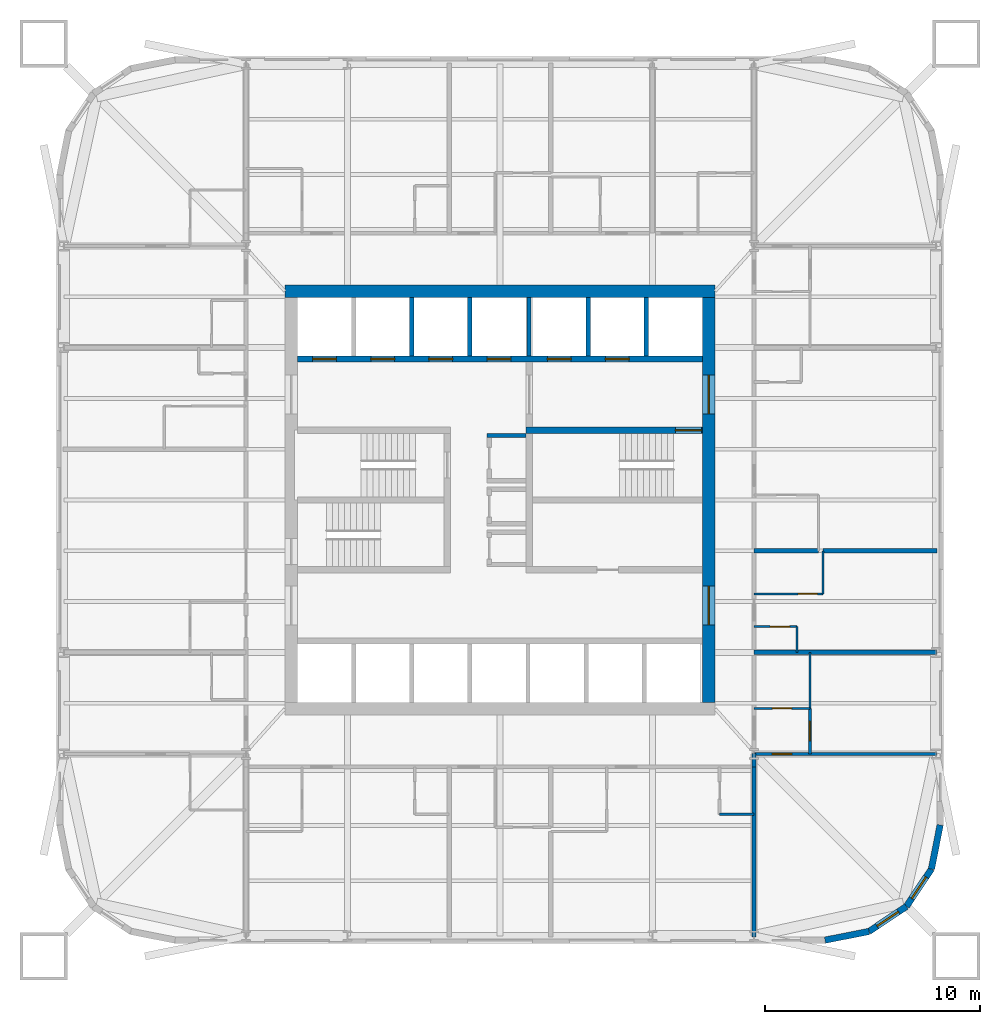
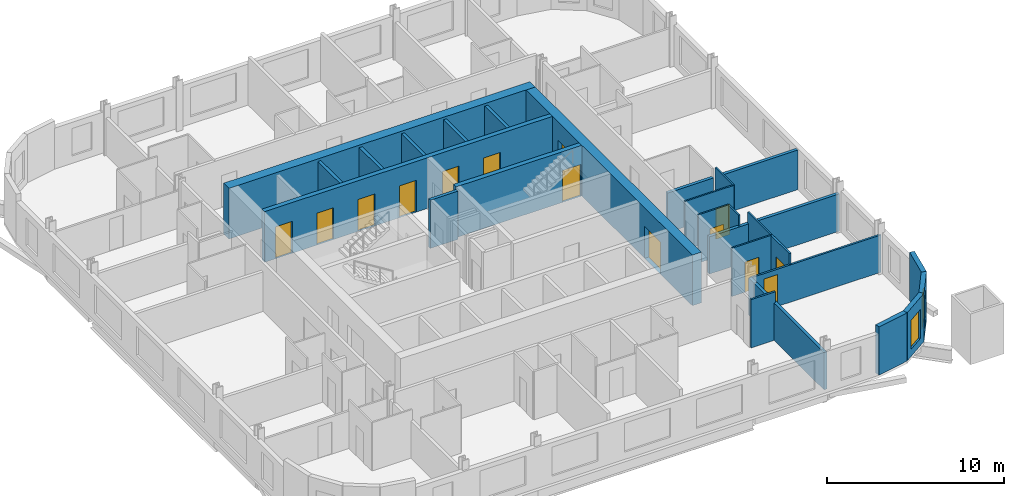
# One storey, part 5 of 9: 28 walls, 14 doors, 2 windows, 16 openings.
"""IFC4 building model written with IfcOpenShell, lengths in metres."""

from ifc_helpers import new_model, si_unit, direction, frame, frame_2d, origin, place, context, subcontext, project, spatial, rectangle, extrude, material, layer, layer_set, type_object, element, fill, save


model = new_model("IFC4")

# Units and contexts
model_context = context("Model", 3, precision=1e-05, world=origin(), true_north=direction((0.0, 1.0)))
body_context = subcontext(model_context, "Body", "Model", "MODEL_VIEW")
ifc_project = project(units=[si_unit("LENGTHUNIT", "METRE"), si_unit("AREAUNIT", "SQUARE_METRE"), si_unit("VOLUMEUNIT", "CUBIC_METRE"), si_unit("PLANEANGLEUNIT", "RADIAN"), si_unit("MASSUNIT", "GRAM", prefix="KILO")], contexts=[model_context])

# Site, building, storey
site_placement = place(None, origin())
site = spatial("IfcSite", under=ifc_project, at=site_placement, CompositionType="ELEMENT")
building_placement = place(site_placement, origin())
building = spatial("IfcBuilding", under=site, at=building_placement, Name="Turquesa Mirador Hotel Tower", CompositionType="ELEMENT")
storey_placement = place(building_placement, frame((0.0, 0.0, 100.39990234375)))
storey = spatial("IfcBuildingStorey", under=building, at=storey_placement, Name="L26", CompositionType="ELEMENT", Elevation=100.39990234375)

# Wall, opening, door
ifc_material_1 = material(Name="Gypsum board on steel studs", Category="steel")
ifc_layer_1 = layer(ifc_material_1, 0.10009765625)
ifc_layer_set_1 = layer_set([ifc_layer_1], Name="BATHROOM WALL 100")
wall_type_1 = type_object("IfcWallType", Name="BATHROOM WALL 100", PredefinedType="PARTITIONING", material=ifc_layer_set_1)
wall_1_placement = place(storey_placement, frame((66.800048828125, 40.639892578125, 0.0), z_axis=(0.0, 0.0, 1.0), x_axis=(1.0, 0.0, 0.0)))
wall_1 = element("IfcWall", 1, at=wall_1_placement, inside=storey, type_object=wall_type_1, Name="Partition L26 013", PredefinedType="PARTITIONING", context=body_context, shape_type="SweptSolid", body=[
    extrude(rectangle(XDim=3.199951171875, YDim=0.10009765625, at=frame_2d((1.60009765625, 0.0))), origin(), (0.0, 0.0, 1.0), 3.330078125),
])
opening_1_placement = place(wall_1_placement, frame((2.050048828125, 0.0, 0.0)))
opening_1 = element("IfcOpeningElement", 2, at=opening_1_placement, cuts=wall_1, Name="Opening D02", PredefinedType="OPENING", context=body_context, shape_type="SweptSolid", body=[
    extrude(rectangle(XDim=0.89990234375, YDim=2.10009765625, at=frame_2d((0.449951171875, 1.050048828125))), frame((0.0, 0.06005859375, 0.0), z_axis=(0.0, -1.0, 0.0), x_axis=(1.0, 0.0, 0.0)), (0.0, 0.0, 1.0), 0.1201171875),
])
ifc_material_2 = material(Name="Timber veneered door", Category="wood")
door_type_1 = type_object("IfcDoorType", Name="DOOR 900X2100 EN-SUITE", OperationType="SINGLE_SWING_RIGHT", PredefinedType="DOOR", material=ifc_material_2)
door_1_placement = place(opening_1_placement, origin())
door_1 = element("IfcDoor", 3, at=door_1_placement, inside=storey, type_object=door_type_1, Name="Door 2608B", OperationType="SINGLE_SWING_RIGHT", OverallHeight=2.10009765625, OverallWidth=0.89990234375, PredefinedType="DOOR", context=body_context, shape_type="SweptSolid", body=[
    extrude(rectangle(XDim=0.89990234375, YDim=2.10009765625, at=frame_2d((0.449951171875, 1.050048828125))), frame((0.0, 0.02490234375, 0.0), z_axis=(0.0, -1.0, 0.0), x_axis=(1.0, 0.0, 0.0)), (0.0, 0.0, 1.0), 0.050048828125),
])
fill(opening_1, door_1)

wall_2_placement = place(storey_placement, frame((66.800048828125, 39.1201171875, 0.0), z_axis=(0.0, 0.0, 1.0), x_axis=(1.0, 0.0, 0.0)))
wall_2 = element("IfcWall", 4, at=wall_2_placement, inside=storey, type_object=wall_type_1, Name="Partition L26 015", PredefinedType="PARTITIONING", context=body_context, shape_type="SweptSolid", body=[
    extrude(rectangle(XDim=2.0, YDim=0.10009765625, at=frame_2d((1.0, 0.0))), origin(), (0.0, 0.0, 1.0), 3.330078125),
])
opening_2_placement = place(wall_2_placement, frame((0.75, 0.0, 0.0)))
opening_2 = element("IfcOpeningElement", 5, at=opening_2_placement, cuts=wall_2, Name="Opening D06", PredefinedType="OPENING", context=body_context, shape_type="SweptSolid", body=[
    extrude(rectangle(XDim=0.89990234375, YDim=2.10009765625, at=frame_2d((0.449951171875, 1.050048828125))), frame((0.0, 0.06005859375, 0.0), z_axis=(0.0, -1.0, 0.0), x_axis=(1.0, 0.0, 0.0)), (0.0, 0.0, 1.0), 0.1201171875),
])
ifc_material_3 = material(Name="Laminate door", Category="wood")
door_type_2 = type_object("IfcDoorType", Name="DOOR 900X2100 WC", OperationType="SINGLE_SWING_LEFT", PredefinedType="DOOR", material=ifc_material_3)
door_2_placement = place(opening_2_placement, origin())
door_2 = element("IfcDoor", 6, at=door_2_placement, inside=storey, type_object=door_type_2, Name="Door 2608W", OperationType="SINGLE_SWING_LEFT", OverallHeight=2.10009765625, OverallWidth=0.89990234375, PredefinedType="DOOR", context=body_context, shape_type="SweptSolid", body=[
    extrude(rectangle(XDim=0.89990234375, YDim=2.10009765625, at=frame_2d((0.449951171875, 1.050048828125))), frame((0.0, 0.02490234375, 0.0), z_axis=(0.0, -1.0, 0.0), x_axis=(1.0, 0.0, 0.0)), (0.0, 0.0, 1.0), 0.050048828125),
])
fill(opening_2, door_2)

wall_3_placement = place(storey_placement, frame((66.800048828125, 35.320068359375, 0.0), z_axis=(0.0, 0.0, 1.0), x_axis=(1.0, 0.0, 0.0)))
wall_3 = element("IfcWall", 7, at=wall_3_placement, inside=storey, type_object=wall_type_1, Name="Partition L26 019", PredefinedType="PARTITIONING", context=body_context, shape_type="SweptSolid", body=[
    extrude(rectangle(XDim=2.599853515625, YDim=0.10009765625, at=frame_2d((1.2998046875, 0.0))), origin(), (0.0, 0.0, 1.0), 3.330078125),
])
opening_3_placement = place(wall_3_placement, frame((0.85009765625, 0.0, 0.0)))
opening_3 = element("IfcOpeningElement", 8, at=opening_3_placement, cuts=wall_3, Name="Opening D02", PredefinedType="OPENING", context=body_context, shape_type="SweptSolid", body=[
    extrude(rectangle(XDim=0.89990234375, YDim=2.10009765625, at=frame_2d((0.449951171875, 1.050048828125))), frame((0.0, 0.06005859375, 0.0), z_axis=(0.0, -1.0, 0.0), x_axis=(1.0, 0.0, 0.0)), (0.0, 0.0, 1.0), 0.1201171875),
])
door_3_placement = place(opening_3_placement, origin())
door_3 = element("IfcDoor", 9, at=door_3_placement, inside=storey, type_object=door_type_1, Name="Door 2614B", OperationType="SINGLE_SWING_RIGHT", OverallHeight=2.10009765625, OverallWidth=0.89990234375, PredefinedType="DOOR", context=body_context, shape_type="SweptSolid", body=[
    extrude(rectangle(XDim=0.89990234375, YDim=2.10009765625, at=frame_2d((0.449951171875, 1.050048828125))), frame((0.0, 0.02490234375, 0.0), z_axis=(0.0, -1.0, 0.0), x_axis=(1.0, 0.0, 0.0)), (0.0, 0.0, 1.0), 0.050048828125),
])
fill(opening_3, door_3)

# Walls
wall_4_placement = place(storey_placement, frame((68.800048828125, 37.919921875, 0.0), z_axis=(0.0, 0.0, 1.0), x_axis=(0.0, 1.0, 0.0)))
element("IfcWall", 10, at=wall_4_placement, inside=storey, type_object=wall_type_1, Name="Partition L26 061", PredefinedType="PARTITIONING", context=body_context, shape_type="SweptSolid", body=[
    extrude(rectangle(XDim=1.2001953125, YDim=0.10009765625, at=frame_2d((0.60009765625, 0.0))), origin(), (0.0, 0.0, 1.0), 3.330078125),
])
wall_5_placement = place(storey_placement, frame((69.39990234375, 35.320068359375, 0.0), z_axis=(0.0, 0.0, 1.0), x_axis=(0.0, 1.0, 0.0)))
element("IfcWall", 11, at=wall_5_placement, inside=storey, type_object=wall_type_1, Name="Partition L26 063", PredefinedType="PARTITIONING", context=body_context, shape_type="SweptSolid", body=[
    extrude(rectangle(XDim=2.599853515625, YDim=0.10009765625, at=frame_2d((1.2998046875, 0.0))), origin(), (0.0, 0.0, 1.0), 3.330078125),
])
wall_6_placement = place(storey_placement, frame((70.0, 40.639892578125, 0.0), z_axis=(0.0, 0.0, 1.0), x_axis=(0.0, 1.0, 0.0)))
element("IfcWall", 12, at=wall_6_placement, inside=storey, type_object=wall_type_1, Name="Partition L26 068", PredefinedType="PARTITIONING", context=body_context, shape_type="SweptSolid", body=[
    extrude(rectangle(XDim=2.0, YDim=0.10009765625, at=frame_2d((1.0, 0.0))), origin(), (0.0, 0.0, 1.0), 3.330078125),
])

# Wall, openings, doors
ifc_material_4 = material(Name="Concrete C50/60", Category="concrete")
ifc_layer_2 = layer(ifc_material_4, 0.300048828125)
ifc_layer_set_2 = layer_set([ifc_layer_2], Name="CORE INNER WALL 300")
wall_type_2 = type_object("IfcWallType", Name="CORE INNER WALL 300", PredefinedType="SHEAR", material=ifc_layer_set_2)
wall_7_placement = place(storey_placement, frame((45.60009765625, 51.550048828125, 0.0), z_axis=(0.0, 0.0, 1.0), x_axis=(1.0, 0.0, 0.0)))
wall_7 = element("IfcWall", 13, at=wall_7_placement, inside=storey, type_object=wall_type_2, Name="Core wall NL", PredefinedType="SHEAR", context=body_context, shape_type="SweptSolid", body=[
    extrude(rectangle(XDim=18.7998046875, YDim=0.300048828125, at=frame_2d((9.39990234375, 0.0))), origin(), (0.0, 0.0, 1.0), 3.5),
])
opening_4_placement = place(wall_7_placement, frame((0.699951171875, 0.0, 0.0)))
opening_4 = element("IfcOpeningElement", 14, at=opening_4_placement, cuts=wall_7, Name="Opening LD", PredefinedType="OPENING", context=body_context, shape_type="SweptSolid", body=[
    extrude(rectangle(XDim=1.10009765625, YDim=2.199951171875, at=frame_2d((0.550048828125, 1.10009765625))), frame((0.0, 0.159912109375, 0.0), z_axis=(0.0, -1.0, 0.0), x_axis=(1.0, 0.0, 0.0)), (0.0, 0.0, 1.0), 0.320068359375),
])
opening_5_placement = place(wall_7_placement, frame((3.39990234375, 0.0, 0.0)))
opening_5 = element("IfcOpeningElement", 15, at=opening_5_placement, cuts=wall_7, Name="Opening LD", PredefinedType="OPENING", context=body_context, shape_type="SweptSolid", body=[
    extrude(rectangle(XDim=1.10009765625, YDim=2.199951171875, at=frame_2d((0.550048828125, 1.10009765625))), frame((0.0, 0.159912109375, 0.0), z_axis=(0.0, -1.0, 0.0), x_axis=(1.0, 0.0, 0.0)), (0.0, 0.0, 1.0), 0.320068359375),
])
opening_6_placement = place(wall_7_placement, frame((6.10009765625, 0.0, 0.0)))
opening_6 = element("IfcOpeningElement", 16, at=opening_6_placement, cuts=wall_7, Name="Opening LD", PredefinedType="OPENING", context=body_context, shape_type="SweptSolid", body=[
    extrude(rectangle(XDim=1.10009765625, YDim=2.199951171875, at=frame_2d((0.550048828125, 1.10009765625))), frame((0.0, 0.159912109375, 0.0), z_axis=(0.0, -1.0, 0.0), x_axis=(1.0, 0.0, 0.0)), (0.0, 0.0, 1.0), 0.320068359375),
])
opening_7_placement = place(wall_7_placement, frame((8.800048828125, 0.0, 0.0)))
opening_7 = element("IfcOpeningElement", 17, at=opening_7_placement, cuts=wall_7, Name="Opening LD", PredefinedType="OPENING", context=body_context, shape_type="SweptSolid", body=[
    extrude(rectangle(XDim=1.10009765625, YDim=2.199951171875, at=frame_2d((0.550048828125, 1.10009765625))), frame((0.0, 0.159912109375, 0.0), z_axis=(0.0, -1.0, 0.0), x_axis=(1.0, 0.0, 0.0)), (0.0, 0.0, 1.0), 0.320068359375),
])
opening_8_placement = place(wall_7_placement, frame((11.60009765625, 0.0, 0.0)))
opening_8 = element("IfcOpeningElement", 18, at=opening_8_placement, cuts=wall_7, Name="Opening LD", PredefinedType="OPENING", context=body_context, shape_type="SweptSolid", body=[
    extrude(rectangle(XDim=1.10009765625, YDim=2.199951171875, at=frame_2d((0.550048828125, 1.10009765625))), frame((0.0, 0.159912109375, 0.0), z_axis=(0.0, -1.0, 0.0), x_axis=(1.0, 0.0, 0.0)), (0.0, 0.0, 1.0), 0.320068359375),
])
opening_9_placement = place(wall_7_placement, frame((14.300048828125, 0.0, 0.0)))
opening_9 = element("IfcOpeningElement", 19, at=opening_9_placement, cuts=wall_7, Name="Opening LD", PredefinedType="OPENING", context=body_context, shape_type="SweptSolid", body=[
    extrude(rectangle(XDim=1.10009765625, YDim=2.199951171875, at=frame_2d((0.550048828125, 1.10009765625))), frame((0.0, 0.159912109375, 0.0), z_axis=(0.0, -1.0, 0.0), x_axis=(1.0, 0.0, 0.0)), (0.0, 0.0, 1.0), 0.320068359375),
])
ifc_material_5 = material(Name="Stainless steel lift landing door", Category="steel")
door_type_3 = type_object("IfcDoorType", Name="LIFT LANDING DOOR 1100X2200", OperationType="SLIDING_TO_LEFT", PredefinedType="DOOR", material=ifc_material_5)
door_4_placement = place(opening_4_placement, origin())
door_4 = element("IfcDoor", 20, at=door_4_placement, inside=storey, type_object=door_type_3, Name="Lift A1 landing door", OperationType="SLIDING_TO_LEFT", OverallHeight=2.199951171875, OverallWidth=1.10009765625, PredefinedType="DOOR", context=body_context, shape_type="SweptSolid", body=[
    extrude(rectangle(XDim=1.10009765625, YDim=2.199951171875, at=frame_2d((0.550048828125, 1.10009765625))), frame((0.0, 0.02490234375, 0.0), z_axis=(0.0, -1.0, 0.0), x_axis=(1.0, 0.0, 0.0)), (0.0, 0.0, 1.0), 0.050048828125),
])
fill(opening_4, door_4)
door_5_placement = place(opening_5_placement, origin())
door_5 = element("IfcDoor", 21, at=door_5_placement, inside=storey, type_object=door_type_3, Name="Lift A2 landing door", OperationType="SLIDING_TO_LEFT", OverallHeight=2.199951171875, OverallWidth=1.10009765625, PredefinedType="DOOR", context=body_context, shape_type="SweptSolid", body=[
    extrude(rectangle(XDim=1.10009765625, YDim=2.199951171875, at=frame_2d((0.550048828125, 1.10009765625))), frame((0.0, 0.02490234375, 0.0), z_axis=(0.0, -1.0, 0.0), x_axis=(1.0, 0.0, 0.0)), (0.0, 0.0, 1.0), 0.050048828125),
])
fill(opening_5, door_5)
door_6_placement = place(opening_6_placement, origin())
door_6 = element("IfcDoor", 22, at=door_6_placement, inside=storey, type_object=door_type_3, Name="Lift A3 landing door", OperationType="SLIDING_TO_LEFT", OverallHeight=2.199951171875, OverallWidth=1.10009765625, PredefinedType="DOOR", context=body_context, shape_type="SweptSolid", body=[
    extrude(rectangle(XDim=1.10009765625, YDim=2.199951171875, at=frame_2d((0.550048828125, 1.10009765625))), frame((0.0, 0.02490234375, 0.0), z_axis=(0.0, -1.0, 0.0), x_axis=(1.0, 0.0, 0.0)), (0.0, 0.0, 1.0), 0.050048828125),
])
fill(opening_6, door_6)
door_7_placement = place(opening_7_placement, origin())
door_7 = element("IfcDoor", 23, at=door_7_placement, inside=storey, type_object=door_type_3, Name="Lift A4 landing door", OperationType="SLIDING_TO_LEFT", OverallHeight=2.199951171875, OverallWidth=1.10009765625, PredefinedType="DOOR", context=body_context, shape_type="SweptSolid", body=[
    extrude(rectangle(XDim=1.10009765625, YDim=2.199951171875, at=frame_2d((0.550048828125, 1.10009765625))), frame((0.0, 0.02490234375, 0.0), z_axis=(0.0, -1.0, 0.0), x_axis=(1.0, 0.0, 0.0)), (0.0, 0.0, 1.0), 0.050048828125),
])
fill(opening_7, door_7)
door_8_placement = place(opening_8_placement, origin())
door_8 = element("IfcDoor", 24, at=door_8_placement, inside=storey, type_object=door_type_3, Name="Lift S1 landing door", OperationType="SLIDING_TO_LEFT", OverallHeight=2.199951171875, OverallWidth=1.10009765625, PredefinedType="DOOR", context=body_context, shape_type="SweptSolid", body=[
    extrude(rectangle(XDim=1.10009765625, YDim=2.199951171875, at=frame_2d((0.550048828125, 1.10009765625))), frame((0.0, 0.02490234375, 0.0), z_axis=(0.0, -1.0, 0.0), x_axis=(1.0, 0.0, 0.0)), (0.0, 0.0, 1.0), 0.050048828125),
])
fill(opening_8, door_8)
door_9_placement = place(opening_9_placement, origin())
door_9 = element("IfcDoor", 25, at=door_9_placement, inside=storey, type_object=door_type_3, Name="Lift S2 landing door", OperationType="SLIDING_TO_LEFT", OverallHeight=2.199951171875, OverallWidth=1.10009765625, PredefinedType="DOOR", context=body_context, shape_type="SweptSolid", body=[
    extrude(rectangle(XDim=1.10009765625, YDim=2.199951171875, at=frame_2d((0.550048828125, 1.10009765625))), frame((0.0, 0.02490234375, 0.0), z_axis=(0.0, -1.0, 0.0), x_axis=(1.0, 0.0, 0.0)), (0.0, 0.0, 1.0), 0.050048828125),
])
fill(opening_9, door_9)

# Wall, opening, door
wall_8_placement = place(storey_placement, frame((56.199951171875, 48.25, 0.0), z_axis=(0.0, 0.0, 1.0), x_axis=(1.0, 0.0, 0.0)))
wall_8 = element("IfcWall", 26, at=wall_8_placement, inside=storey, type_object=wall_type_2, Name="Core wall MN-E", PredefinedType="SHEAR", context=body_context, shape_type="SweptSolid", body=[
    extrude(rectangle(XDim=8.199951171875, YDim=0.300048828125, at=frame_2d((4.10009765625, 0.0))), origin(), (0.0, 0.0, 1.0), 3.5),
])
opening_10_placement = place(wall_8_placement, frame((6.949951171875, 0.0, 0.0)))
opening_10 = element("IfcOpeningElement", 27, at=opening_10_placement, cuts=wall_8, Name="Opening D03", PredefinedType="OPENING", context=body_context, shape_type="SweptSolid", body=[
    extrude(rectangle(XDim=1.199951171875, YDim=2.199951171875, at=frame_2d((0.60009765625, 1.10009765625))), frame((0.0, 0.159912109375, 0.0), z_axis=(0.0, -1.0, 0.0), x_axis=(1.0, 0.0, 0.0)), (0.0, 0.0, 1.0), 0.320068359375),
])
ifc_material_6 = material(Name="Steel fire door", Category="steel")
door_type_4 = type_object("IfcDoorType", Name="DOOR 1200X2200 STAIR", OperationType="SINGLE_SWING_LEFT", PredefinedType="DOOR", material=ifc_material_6)
door_10_placement = place(opening_10_placement, origin())
door_10 = element("IfcDoor", 28, at=door_10_placement, inside=storey, type_object=door_type_4, Name="Stair ST3 door", OperationType="SINGLE_SWING_LEFT", OverallHeight=2.199951171875, OverallWidth=1.199951171875, PredefinedType="DOOR", context=body_context, shape_type="SweptSolid", body=[
    extrude(rectangle(XDim=1.199951171875, YDim=2.199951171875, at=frame_2d((0.60009765625, 1.10009765625))), frame((0.0, 0.02490234375, 0.0), z_axis=(0.0, -1.0, 0.0), x_axis=(1.0, 0.0, 0.0)), (0.0, 0.0, 1.0), 0.050048828125),
])
fill(opening_10, door_10)

# Wall
ifc_material_7 = material(Name="Concrete C50/60", Category="concrete")
ifc_layer_3 = layer(ifc_material_7, 0.60009765625)
ifc_layer_set_3 = layer_set([ifc_layer_3], Name="CORE WALL 600")
wall_type_3 = type_object("IfcWallType", Name="CORE WALL 600", PredefinedType="SHEAR", material=ifc_layer_set_3)
wall_9_placement = place(storey_placement, frame((45.0, 54.699951171875, 0.0), z_axis=(0.0, 0.0, 1.0), x_axis=(1.0, 0.0, 0.0)))
element("IfcWall", 29, at=wall_9_placement, inside=storey, type_object=wall_type_3, Name="Core wall N", PredefinedType="SHEAR", context=body_context, shape_type="SweptSolid", body=[
    extrude(rectangle(XDim=20.0, YDim=0.60009765625, at=frame_2d((10.0, 0.0))), origin(), (0.0, 0.0, 1.0), 3.5),
])

# Wall, openings, doors
wall_10_placement = place(storey_placement, frame((64.699951171875, 35.60009765625, 0.0), z_axis=(0.0, 0.0, 1.0), x_axis=(0.0, 1.0, 0.0)))
wall_10 = element("IfcWall", 30, at=wall_10_placement, inside=storey, type_object=wall_type_3, Name="Core wall E", PredefinedType="SHEAR", context=body_context, shape_type="SweptSolid", body=[
    extrude(rectangle(XDim=18.7998046875, YDim=0.60009765625, at=frame_2d((9.39990234375, 0.0))), origin(), (0.0, 0.0, 1.0), 3.5),
])
opening_11_placement = place(wall_10_placement, frame((13.39990234375, 0.0, 0.0)))
opening_11 = element("IfcOpeningElement", 31, at=opening_11_placement, cuts=wall_10, Name="Opening D04", PredefinedType="OPENING", context=body_context, shape_type="SweptSolid", body=[
    extrude(rectangle(XDim=1.800048828125, YDim=2.199951171875, at=frame_2d((0.89990234375, 1.10009765625))), frame((0.0, 0.31005859375, 0.0), z_axis=(0.0, -1.0, 0.0), x_axis=(1.0, 0.0, 0.0)), (0.0, 0.0, 1.0), 0.6201171875),
])
opening_12_placement = place(wall_10_placement, frame((3.60009765625, 0.0, 0.0)))
opening_12 = element("IfcOpeningElement", 32, at=opening_12_placement, cuts=wall_10, Name="Opening D04", PredefinedType="OPENING", context=body_context, shape_type="SweptSolid", body=[
    extrude(rectangle(XDim=1.800048828125, YDim=2.199951171875, at=frame_2d((0.89990234375, 1.10009765625))), frame((0.0, 0.31005859375, 0.0), z_axis=(0.0, -1.0, 0.0), x_axis=(1.0, 0.0, 0.0)), (0.0, 0.0, 1.0), 0.6201171875),
])
ifc_material_8 = material(Name="Steel fire door pair", Category="steel")
door_type_5 = type_object("IfcDoorType", Name="DOOR 1800X2200 PAIR", OperationType="DOUBLE_DOOR_SINGLE_SWING", PredefinedType="DOOR", material=ifc_material_8)
door_11_placement = place(opening_11_placement, origin())
door_11 = element("IfcDoor", 33, at=door_11_placement, inside=storey, type_object=door_type_5, Name="Firefighting lobby door", OperationType="DOUBLE_DOOR_SINGLE_SWING", OverallHeight=2.199951171875, OverallWidth=1.800048828125, PredefinedType="DOOR", context=body_context, shape_type="SweptSolid", body=[
    extrude(rectangle(XDim=1.800048828125, YDim=2.199951171875, at=frame_2d((0.89990234375, 1.10009765625))), frame((0.0, 0.02490234375, 0.0), z_axis=(0.0, -1.0, 0.0), x_axis=(1.0, 0.0, 0.0)), (0.0, 0.0, 1.0), 0.050048828125),
])
fill(opening_11, door_11)
door_12_placement = place(opening_12_placement, origin())
door_12 = element("IfcDoor", 34, at=door_12_placement, inside=storey, type_object=door_type_5, Name="South lift lobby door", OperationType="DOUBLE_DOOR_SINGLE_SWING", OverallHeight=2.199951171875, OverallWidth=1.800048828125, PredefinedType="DOOR", context=body_context, shape_type="SweptSolid", body=[
    extrude(rectangle(XDim=1.800048828125, YDim=2.199951171875, at=frame_2d((0.89990234375, 1.10009765625))), frame((0.0, 0.02490234375, 0.0), z_axis=(0.0, -1.0, 0.0), x_axis=(1.0, 0.0, 0.0)), (0.0, 0.0, 1.0), 0.050048828125),
])
fill(opening_12, door_12)

# Walls
ifc_material_9 = material(Name="Fire-rated gypsum board on steel studs", Category="steel")
ifc_layer_4 = layer(ifc_material_9, 0.199951171875)
ifc_layer_set_4 = layer_set([ifc_layer_4], Name="CORRIDOR WALL 200")
wall_type_4 = type_object("IfcWallType", Name="CORRIDOR WALL 200", PredefinedType="PARTITIONING", material=ifc_layer_set_4)
wall_11_placement = place(storey_placement, frame((66.800048828125, 32.60009765625, 0.0), z_axis=(0.0, 0.0, 1.0), x_axis=(0.0, 1.0, 0.0)))
element("IfcWall", 35, at=wall_11_placement, inside=storey, type_object=wall_type_4, Name="Partition L26 079", PredefinedType="PARTITIONING", context=body_context, shape_type="SweptSolid", body=[
    extrude(rectangle(XDim=0.619873046875, YDim=0.199951171875, at=frame_2d((0.31005859375, 0.0))), origin(), (0.0, 0.0, 1.0), 2.5732421875),
])
ifc_material_10 = material(Name="Limestone cladding on concrete block", Category="masonry")
ifc_layer_5 = layer(ifc_material_10, 0.300048828125)
ifc_layer_set_5 = layer_set([ifc_layer_5], Name="FACADE WALL 300 STONE SCREEN")
wall_type_5 = type_object("IfcWallType", Name="FACADE WALL 300 STONE SCREEN", PredefinedType="SOLIDWALL", material=ifc_layer_set_5)
wall_12_placement = place(storey_placement, frame((70.10009765625, 24.550048828125, 0.0), z_axis=(0.0, 0.0, 1.0), x_axis=(0.980787050784, 0.195081421501, 0.0)))
element("IfcWall", 36, at=wall_12_placement, inside=storey, type_object=wall_type_5, Name="Facade wall L26 00", PredefinedType="SOLIDWALL", context=body_context, shape_type="SweptSolid", body=[
    extrude(rectangle(XDim=2.08740234375, YDim=0.300048828125, at=frame_2d((1.043701171875, 0.0))), origin(), (0.0, 0.0, 1.0), 3.330078125),
])

# Wall, opening, window
wall_13_placement = place(storey_placement, frame((72.1474609375, 24.957275390625, 0.0), z_axis=(0.0, 0.0, 1.0), x_axis=(0.831474039234, 0.555563607591, 0.0)))
wall_13 = element("IfcWall", 37, at=wall_13_placement, inside=storey, type_object=wall_type_5, Name="Facade wall L26 01", PredefinedType="SOLIDWALL", context=body_context, shape_type="SweptSolid", body=[
    extrude(rectangle(XDim=2.08740234375, YDim=0.300048828125, at=frame_2d((1.043701171875, 0.0))), origin(), (0.0, 0.0, 1.0), 3.330078125),
])
opening_13_placement = place(wall_13_placement, frame((0.443603515625, 0.0, 0.5)))
opening_13 = element("IfcOpeningElement", 38, at=opening_13_placement, cuts=wall_13, Name="Opening WN4", PredefinedType="OPENING", context=body_context, shape_type="SweptSolid", body=[
    extrude(rectangle(XDim=1.199951171875, YDim=2.0, at=frame_2d((0.60009765625, 1.0))), frame((0.0, 0.159912109375, 0.0), z_axis=(0.0, -1.0, 0.0), x_axis=(1.0, 0.0, 0.0)), (0.0, 0.0, 1.0), 0.320068359375),
])
ifc_material_11 = material(Name="Ceramic-fritted laminated glass", Category="glass")
window_type = type_object("IfcWindowType", Name="FRITTED CORNER WINDOW 1200X2000", PartitioningType="DOUBLE_PANEL_HORIZONTAL", PredefinedType="WINDOW", material=ifc_material_11)
window_1_placement = place(opening_13_placement, origin())
window_1 = element("IfcWindow", 39, at=window_1_placement, inside=storey, type_object=window_type, Name="Window L26", OverallHeight=2.0, OverallWidth=1.199951171875, PartitioningType="SINGLE_PANEL", PredefinedType="WINDOW", context=body_context, shape_type="SweptSolid", body=[
    extrude(rectangle(XDim=1.199951171875, YDim=2.0, at=frame_2d((0.60009765625, 1.0))), frame((0.0, 0.030029296875, 0.0), z_axis=(0.0, -1.0, 0.0), x_axis=(1.0, 0.0, 0.0)), (0.0, 0.0, 1.0), 0.06005859375),
])
fill(opening_13, window_1)

wall_14_placement = place(storey_placement, frame((73.883056640625, 26.116943359375, 0.0), z_axis=(0.0, 0.0, 1.0), x_axis=(0.555563607591, 0.831474039234, 0.0)))
wall_14 = element("IfcWall", 40, at=wall_14_placement, inside=storey, type_object=wall_type_5, Name="Facade wall L26 02", PredefinedType="SOLIDWALL", context=body_context, shape_type="SweptSolid", body=[
    extrude(rectangle(XDim=2.08740234375, YDim=0.300048828125, at=frame_2d((1.043701171875, 0.0))), origin(), (0.0, 0.0, 1.0), 3.330078125),
])
opening_14_placement = place(wall_14_placement, frame((0.443603515625, 0.0, 0.5)))
opening_14 = element("IfcOpeningElement", 41, at=opening_14_placement, cuts=wall_14, Name="Opening WN4", PredefinedType="OPENING", context=body_context, shape_type="SweptSolid", body=[
    extrude(rectangle(XDim=1.199951171875, YDim=2.0, at=frame_2d((0.60009765625, 1.0))), frame((0.0, 0.159912109375, 0.0), z_axis=(0.0, -1.0, 0.0), x_axis=(1.0, 0.0, 0.0)), (0.0, 0.0, 1.0), 0.320068359375),
])
window_2_placement = place(opening_14_placement, origin())
window_2 = element("IfcWindow", 42, at=window_2_placement, inside=storey, type_object=window_type, Name="Window L26", OverallHeight=2.0, OverallWidth=1.199951171875, PartitioningType="SINGLE_PANEL", PredefinedType="WINDOW", context=body_context, shape_type="SweptSolid", body=[
    extrude(rectangle(XDim=1.199951171875, YDim=2.0, at=frame_2d((0.60009765625, 1.0))), frame((0.0, 0.030029296875, 0.0), z_axis=(0.0, -1.0, 0.0), x_axis=(1.0, 0.0, 0.0)), (0.0, 0.0, 1.0), 0.06005859375),
])
fill(opening_14, window_2)

# Walls
wall_15_placement = place(storey_placement, frame((75.042724609375, 27.8525390625, 0.0), z_axis=(0.0, 0.0, 1.0), x_axis=(0.195081421501, 0.980787050784, 0.0)))
element("IfcWall", 43, at=wall_15_placement, inside=storey, type_object=wall_type_5, Name="Facade wall L26 03", PredefinedType="SOLIDWALL", context=body_context, shape_type="SweptSolid", body=[
    extrude(rectangle(XDim=2.08740234375, YDim=0.300048828125, at=frame_2d((1.043701171875, 0.0))), origin(), (0.0, 0.0, 1.0), 3.330078125),
])
ifc_material_12 = material(Name="Fire-rated gypsum board on steel studs", Category="steel")
ifc_layer_6 = layer(ifc_material_12, 0.199951171875)
ifc_layer_set_6 = layer_set([ifc_layer_6], Name="FIRE PARTITION 200")
wall_type_6 = type_object("IfcWallType", Name="FIRE PARTITION 200", PredefinedType="PARTITIONING", material=ifc_layer_set_6)
wall_16_placement = place(storey_placement, frame((54.39990234375, 48.0, 0.0), z_axis=(0.0, 0.0, 1.0), x_axis=(1.0, 0.0, 0.0)))
element("IfcWall", 44, at=wall_16_placement, inside=storey, type_object=wall_type_6, Name="Partition L26 BO N", PredefinedType="PARTITIONING", context=body_context, shape_type="SweptSolid", body=[
    extrude(rectangle(XDim=1.800048828125, YDim=0.199951171875, at=frame_2d((0.89990234375, 0.0))), origin(), (0.0, 0.0, 1.0), 3.330078125),
])
ifc_material_13 = material(Name="Fire-rated gypsum shaft wall on steel studs", Category="steel")
ifc_layer_7 = layer(ifc_material_13, 0.199951171875)
ifc_layer_set_7 = layer_set([ifc_layer_7], Name="LIFT SHAFT DIVIDER 200")
wall_type_7 = type_object("IfcWallType", Name="LIFT SHAFT DIVIDER 200", PredefinedType="PARTITIONING", material=ifc_layer_set_7)
for number, where, z_axis, x_axis, name in (
    (45, (50.89990234375, 51.699951171875, 0.0), (0.0, 0.0, 1.0), (0.0, 1.0, 0.0), "Lift shaft divider"),
    (46, (53.60009765625, 51.699951171875, 0.0), (0.0, 0.0, 1.0), (0.0, 1.0, 0.0), "Lift shaft divider"),
    (47, (59.10009765625, 51.699951171875, 0.0), (0.0, 0.0, 1.0), (0.0, 1.0, 0.0), "Lift shaft divider"),
    (48, (61.800048828125, 51.699951171875, 0.0), (0.0, 0.0, 1.0), (0.0, 1.0, 0.0), "Lift shaft divider"),
    (49, (56.35009765625, 51.699951171875, 0.0), (0.0, 0.0, 1.0), (0.0, 1.0, 0.0), "Lift shaft divider"),
):
    element("IfcWall", number, at=place(storey_placement, frame(where, z_axis=z_axis, x_axis=x_axis)), inside=storey, type_object=wall_type_7, Name=name, PredefinedType="PARTITIONING", context=body_context, shape_type="SweptSolid", body=[
        extrude(rectangle(XDim=2.699951171875, YDim=0.199951171875, at=frame_2d((1.35009765625, 0.0))), origin(), (0.0, 0.0, 1.0), 3.330078125),
    ])
ifc_material_14 = material(Name="Fire-rated gypsum board on steel studs", Category="steel")
ifc_layer_8 = layer(ifc_material_14, 0.199951171875)
ifc_layer_set_8 = layer_set([ifc_layer_8], Name="PARTY WALL 200")
wall_type_8 = type_object("IfcWallType", Name="PARTY WALL 200", PredefinedType="PARTITIONING", material=ifc_layer_set_8)
wall_17_placement = place(storey_placement, frame((66.800048828125, 42.639892578125, 0.0), z_axis=(0.0, 0.0, 1.0), x_axis=(1.0, 0.0, 0.0)))
element("IfcWall", 50, at=wall_17_placement, inside=storey, type_object=wall_type_8, Name="Partition L26 011", PredefinedType="PARTITIONING", context=body_context, shape_type="SweptSolid", body=[
    extrude(rectangle(XDim=3.0, YDim=0.199951171875, at=frame_2d((1.5, 0.0))), origin(), (0.0, 0.0, 1.0), 2.730712890625),
])
wall_18_placement = place(storey_placement, frame((70.0, 42.639892578125, 0.0), z_axis=(0.0, 0.0, 1.0), x_axis=(1.0, 0.0, 0.0)))
element("IfcWall", 51, at=wall_18_placement, inside=storey, type_object=wall_type_8, Name="Partition L26 012", PredefinedType="PARTITIONING", context=body_context, shape_type="SweptSolid", body=[
    extrude(rectangle(XDim=5.300048828125, YDim=0.199951171875, at=frame_2d((2.64990234375, 0.0))), origin(), (0.0, 0.0, 1.0), 2.730712890625),
])
wall_19_placement = place(storey_placement, frame((66.800048828125, 37.919921875, 0.0), z_axis=(0.0, 0.0, 1.0), x_axis=(1.0, 0.0, 0.0)))
element("IfcWall", 52, at=wall_19_placement, inside=storey, type_object=wall_type_8, Name="Partition L26 017", PredefinedType="PARTITIONING", context=body_context, shape_type="SweptSolid", body=[
    extrude(rectangle(XDim=8.5, YDim=0.199951171875, at=frame_2d((4.25, 0.0))), origin(), (0.0, 0.0, 1.0), 2.5732421875),
])
wall_20_placement = place(storey_placement, frame((66.800048828125, 24.699951171875, 0.0), z_axis=(0.0, 0.0, 1.0), x_axis=(0.0, 1.0, 0.0)))
element("IfcWall", 53, at=wall_20_placement, inside=storey, type_object=wall_type_8, Name="Partition L26 059", PredefinedType="PARTITIONING", context=body_context, shape_type="SweptSolid", body=[
    extrude(rectangle(XDim=7.900146484375, YDim=0.199951171875, at=frame_2d((3.9501953125, 0.0))), origin(), (0.0, 0.0, 1.0), 2.5732421875),
])

# Wall, opening, door
ifc_material_15 = material(Name="Acoustic gypsum board on steel studs", Category="steel")
ifc_layer_9 = layer(ifc_material_15, 0.125)
ifc_layer_set_9 = layer_set([ifc_layer_9], Name="SUITE PARTITION 125")
wall_type_9 = type_object("IfcWallType", Name="SUITE PARTITION 125", PredefinedType="PARTITIONING", material=ifc_layer_set_9)
wall_21_placement = place(storey_placement, frame((66.800048828125, 33.199951171875, 0.0), z_axis=(0.0, 0.0, 1.0), x_axis=(1.0, 0.0, 0.0)))
wall_21 = element("IfcWall", 54, at=wall_21_placement, inside=storey, type_object=wall_type_9, Name="Partition L26 003", PredefinedType="PARTITIONING", context=body_context, shape_type="SweptSolid", body=[
    extrude(rectangle(XDim=8.5, YDim=0.125, at=frame_2d((4.25, 0.0))), origin(), (0.0, 0.0, 1.0), 2.5732421875),
])
opening_15_placement = place(wall_21_placement, frame((0.85009765625, 0.0, 0.0)))
opening_15 = element("IfcOpeningElement", 55, at=opening_15_placement, cuts=wall_21, Name="Opening D17", PredefinedType="OPENING", context=body_context, shape_type="SweptSolid", body=[
    extrude(rectangle(XDim=0.89990234375, YDim=2.199951171875, at=frame_2d((0.449951171875, 1.10009765625))), frame((0.0, 0.072509765625, 0.0), z_axis=(0.0, -1.0, 0.0), x_axis=(1.0, 0.0, 0.0)), (0.0, 0.0, 1.0), 0.14501953125),
])
ifc_material_16 = material(Name="Timber veneered door", Category="wood")
door_type_6 = type_object("IfcDoorType", Name="DOOR 900X2200 SUITE INTERNAL", OperationType="SINGLE_SWING_LEFT", PredefinedType="DOOR", material=ifc_material_16)
door_13_placement = place(opening_15_placement, origin())
door_13 = element("IfcDoor", 56, at=door_13_placement, inside=storey, type_object=door_type_6, Name="Door 2614", OperationType="SINGLE_SWING_LEFT", OverallHeight=2.199951171875, OverallWidth=0.89990234375, PredefinedType="DOOR", context=body_context, shape_type="SweptSolid", body=[
    extrude(rectangle(XDim=0.89990234375, YDim=2.199951171875, at=frame_2d((0.449951171875, 1.10009765625))), frame((0.0, 0.02490234375, 0.0), z_axis=(0.0, -1.0, 0.0), x_axis=(1.0, 0.0, 0.0)), (0.0, 0.0, 1.0), 0.050048828125),
])
fill(opening_15, door_13)

# Wall
wall_22_placement = place(storey_placement, frame((65.199951171875, 30.39990234375, 0.0), z_axis=(0.0, 0.0, 1.0), x_axis=(1.0, 0.0, 0.0)))
element("IfcWall", 57, at=wall_22_placement, inside=storey, type_object=wall_type_9, Name="Partition L26 007", PredefinedType="PARTITIONING", context=body_context, shape_type="SweptSolid", body=[
    extrude(rectangle(XDim=1.60009765625, YDim=0.125, at=frame_2d((0.800048828125, 0.0))), origin(), (0.0, 0.0, 1.0), 3.330078125),
])

# Wall, opening, door
wall_23_placement = place(storey_placement, frame((69.39990234375, 33.199951171875, 0.0), z_axis=(0.0, 0.0, 1.0), x_axis=(0.0, 1.0, 0.0)))
wall_23 = element("IfcWall", 58, at=wall_23_placement, inside=storey, type_object=wall_type_9, Name="Partition L26 065", PredefinedType="PARTITIONING", context=body_context, shape_type="SweptSolid", body=[
    extrude(rectangle(XDim=2.1201171875, YDim=0.125, at=frame_2d((1.06005859375, 0.0))), origin(), (0.0, 0.0, 1.0), 3.330078125),
])
opening_16_placement = place(wall_23_placement, frame((0.610107421875, 0.0, 0.0)))
opening_16 = element("IfcOpeningElement", 59, at=opening_16_placement, cuts=wall_23, Name="Opening D17", PredefinedType="OPENING", context=body_context, shape_type="SweptSolid", body=[
    extrude(rectangle(XDim=0.89990234375, YDim=2.199951171875, at=frame_2d((0.449951171875, 1.10009765625))), frame((0.0, 0.072509765625, 0.0), z_axis=(0.0, -1.0, 0.0), x_axis=(1.0, 0.0, 0.0)), (0.0, 0.0, 1.0), 0.14501953125),
])
door_14_placement = place(opening_16_placement, origin())
door_14 = element("IfcDoor", 60, at=door_14_placement, inside=storey, type_object=door_type_6, Name="Door 2614R", OperationType="SINGLE_SWING_LEFT", OverallHeight=2.199951171875, OverallWidth=0.89990234375, PredefinedType="DOOR", context=body_context, shape_type="SweptSolid", body=[
    extrude(rectangle(XDim=0.89990234375, YDim=2.199951171875, at=frame_2d((0.449951171875, 1.10009765625))), frame((0.0, 0.02490234375, 0.0), z_axis=(0.0, -1.0, 0.0), x_axis=(1.0, 0.0, 0.0)), (0.0, 0.0, 1.0), 0.050048828125),
])
fill(opening_16, door_14)

save(model, "model.ifc")
